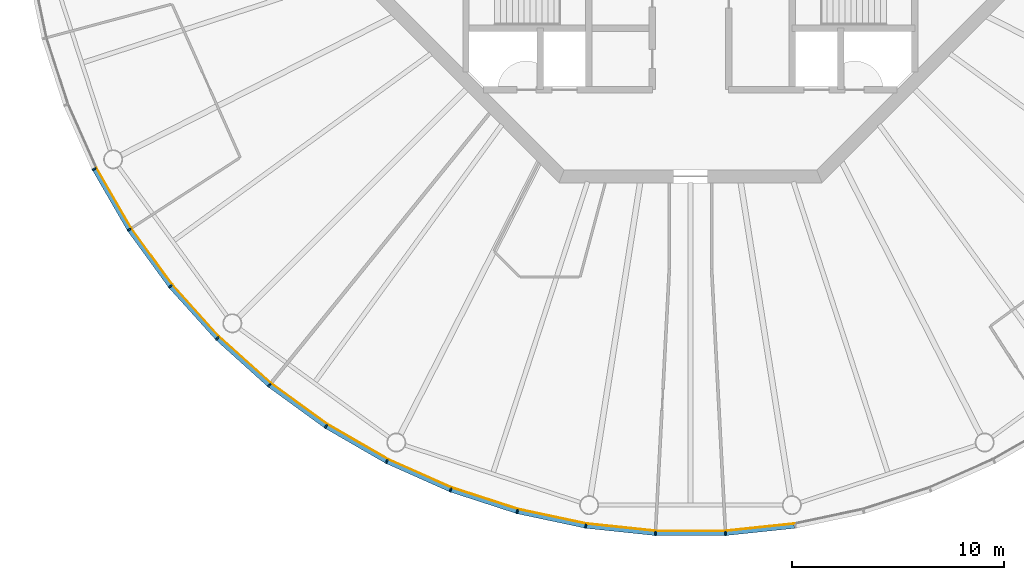
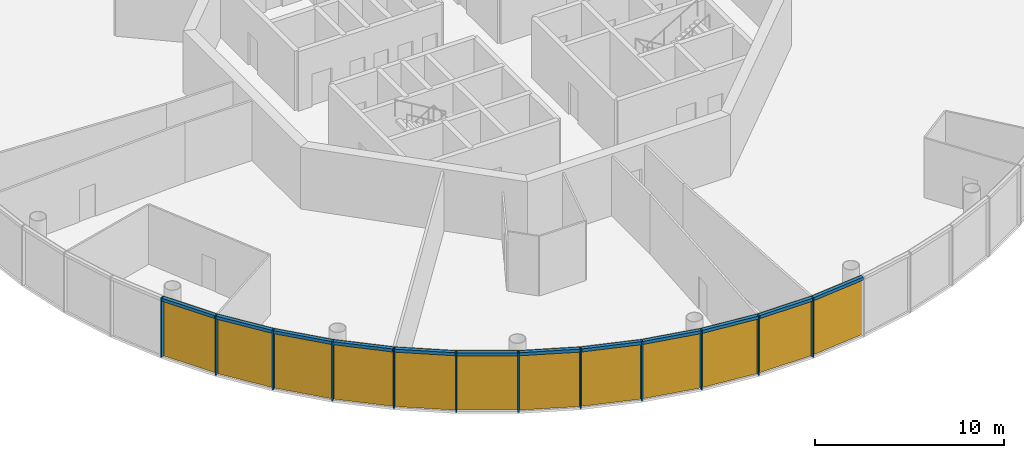
# One storey, part 7 of 13: 24 members, 4 curtain walls.
"""IFC4 building model written with IfcOpenShell, lengths in metres."""

from ifc_helpers import new_model, si_unit, direction, frame, origin, origin_2d, place, context, subcontext, project, spatial, polyline, rectangle, outline, extrude, material, layer, layer_set, material_profile, profile_set, type_object, element, aggregate, save


model = new_model("IFC4")

# Units and contexts
model_context = context("Model", 3, precision=1e-05, world=origin(), true_north=direction((0.0, 1.0)))
body_context = subcontext(model_context, "Body", "Model", "MODEL_VIEW")
ifc_project = project(units=[si_unit("LENGTHUNIT", "METRE"), si_unit("AREAUNIT", "SQUARE_METRE"), si_unit("VOLUMEUNIT", "CUBIC_METRE"), si_unit("PLANEANGLEUNIT", "RADIAN"), si_unit("MASSUNIT", "GRAM", prefix="KILO")], contexts=[model_context])

# Member
ifc_material_1 = material(Name="Anodised aluminium", Category="aluminium")
ifc_material_profile_1 = material_profile(ifc_material_1, rectangle(XDim=0.070068359375, YDim=0.205078125, at=origin_2d()), Name="Mullion 70 x 205 mm anodised aluminium")
ifc_profile_set_1 = profile_set([ifc_material_profile_1], Name="Anodised aluminium")
member_type_1 = type_object("IfcMemberType", Name="Mullion 70 x 205 mm anodised aluminium", PredefinedType="MULLION", material=ifc_profile_set_1)
site_placement = place(None, origin())
building_placement = place(site_placement, origin())
storey_placement = place(building_placement, frame((0.0, 0.0, 380.0)))
member_1_placement = place(storey_placement, frame((61.842041015625, 65.65283203125, 0.0), z_axis=(0.0, 0.0, 1.0), x_axis=(0.45399049974, -0.891006524188, 0.0)))
member_1 = element("IfcMember", 1, at=member_1_placement, type_object=member_type_1, Name="MULLION L88-33", PredefinedType="MULLION", context=body_context, shape_type="SweptSolid", body=[
    extrude(rectangle(XDim=0.070068359375, YDim=0.205078125, at=origin_2d()), origin(), (0.0, 0.0, 1.0), 3.85009765625),
])

member_2_placement = place(storey_placement, frame((63.495849609375, 62.7880859375, 0.0), z_axis=(0.0, 0.0, 1.0), x_axis=(0.544639035015, -0.838670567945, 0.0)))
member_2 = element("IfcMember", 2, at=member_2_placement, type_object=member_type_1, Name="MULLION L88-34", PredefinedType="MULLION", context=body_context, shape_type="SweptSolid", body=[
    extrude(rectangle(XDim=0.070068359375, YDim=0.205078125, at=origin_2d()), origin(), (0.0, 0.0, 1.0), 3.85009765625),
])

member_3_placement = place(storey_placement, frame((65.440185546875, 60.11181640625, 0.0), z_axis=(0.0, 0.0, 1.0), x_axis=(0.62932039105, -0.777145961457, 0.0)))
member_3 = element("IfcMember", 3, at=member_3_placement, type_object=member_type_1, Name="MULLION L88-35", PredefinedType="MULLION", context=body_context, shape_type="SweptSolid", body=[
    extrude(rectangle(XDim=0.070068359375, YDim=0.205078125, at=origin_2d()), origin(), (0.0, 0.0, 1.0), 3.85009765625),
])

member_4_placement = place(storey_placement, frame((67.653564453125, 57.653564453125, 0.0), z_axis=(0.0, 0.0, 1.0), x_axis=(0.707106781187, -0.707106781187, 0.0)))
member_4 = element("IfcMember", 4, at=member_4_placement, type_object=member_type_1, Name="MULLION L88-36", PredefinedType="MULLION", context=body_context, shape_type="SweptSolid", body=[
    extrude(rectangle(XDim=0.070068359375, YDim=0.205078125, at=origin_2d()), origin(), (0.0, 0.0, 1.0), 3.85009765625),
])

member_5_placement = place(storey_placement, frame((70.11181640625, 55.440185546875, 0.0), z_axis=(0.0, 0.0, 1.0), x_axis=(0.777145961457, -0.62932039105, 0.0)))
member_5 = element("IfcMember", 5, at=member_5_placement, type_object=member_type_1, Name="MULLION L88-37", PredefinedType="MULLION", context=body_context, shape_type="SweptSolid", body=[
    extrude(rectangle(XDim=0.070068359375, YDim=0.205078125, at=origin_2d()), origin(), (0.0, 0.0, 1.0), 3.85009765625),
])

member_6_placement = place(storey_placement, frame((72.7880859375, 53.495849609375, 0.0), z_axis=(0.0, 0.0, 1.0), x_axis=(0.838670567945, -0.544639035015, 0.0)))
member_6 = element("IfcMember", 6, at=member_6_placement, type_object=member_type_1, Name="MULLION L88-38", PredefinedType="MULLION", context=body_context, shape_type="SweptSolid", body=[
    extrude(rectangle(XDim=0.070068359375, YDim=0.205078125, at=origin_2d()), origin(), (0.0, 0.0, 1.0), 3.85009765625),
])

member_7_placement = place(storey_placement, frame((75.65283203125, 51.842041015625, 0.0), z_axis=(0.0, 0.0, 1.0), x_axis=(0.891006524188, -0.45399049974, 0.0)))
member_7 = element("IfcMember", 7, at=member_7_placement, type_object=member_type_1, Name="MULLION L88-39", PredefinedType="MULLION", context=body_context, shape_type="SweptSolid", body=[
    extrude(rectangle(XDim=0.070068359375, YDim=0.205078125, at=origin_2d()), origin(), (0.0, 0.0, 1.0), 3.85009765625),
])

member_8_placement = place(storey_placement, frame((78.674560546875, 50.49658203125, 0.0), z_axis=(0.0, 0.0, 1.0), x_axis=(0.933580426497, -0.358367949545, 0.0)))
member_8 = element("IfcMember", 8, at=member_8_placement, type_object=member_type_1, Name="MULLION L88-40", PredefinedType="MULLION", context=body_context, shape_type="SweptSolid", body=[
    extrude(rectangle(XDim=0.070068359375, YDim=0.205078125, at=origin_2d()), origin(), (0.0, 0.0, 1.0), 3.85009765625),
])

member_9_placement = place(storey_placement, frame((81.820556640625, 49.474365234375, 0.0), z_axis=(0.0, 0.0, 1.0), x_axis=(0.965925826289, -0.258819045103, 0.0)))
member_9 = element("IfcMember", 9, at=member_9_placement, type_object=member_type_1, Name="MULLION L88-41", PredefinedType="MULLION", context=body_context, shape_type="SweptSolid", body=[
    extrude(rectangle(XDim=0.070068359375, YDim=0.205078125, at=origin_2d()), origin(), (0.0, 0.0, 1.0), 3.85009765625),
])

member_10_placement = place(storey_placement, frame((85.056396484375, 48.78662109375, 0.0), z_axis=(0.0, 0.0, 1.0), x_axis=(0.987688340595, -0.15643446504, 0.0)))
member_10 = element("IfcMember", 10, at=member_10_placement, type_object=member_type_1, Name="MULLION L88-42", PredefinedType="MULLION", context=body_context, shape_type="SweptSolid", body=[
    extrude(rectangle(XDim=0.070068359375, YDim=0.205078125, at=origin_2d()), origin(), (0.0, 0.0, 1.0), 3.85009765625),
])

member_11_placement = place(storey_placement, frame((88.345947265625, 48.44091796875, 0.0), z_axis=(0.0, 0.0, 1.0), x_axis=(0.998629534755, -0.052335956243, 0.0)))
member_11 = element("IfcMember", 11, at=member_11_placement, type_object=member_type_1, Name="MULLION L88-43", PredefinedType="MULLION", context=body_context, shape_type="SweptSolid", body=[
    extrude(rectangle(XDim=0.070068359375, YDim=0.205078125, at=origin_2d()), origin(), (0.0, 0.0, 1.0), 3.85009765625),
])

member_12_placement = place(storey_placement, frame((91.654052734375, 48.44091796875, 0.0), z_axis=(0.0, 0.0, 1.0), x_axis=(0.998629534755, 0.052335956243, 0.0)))
member_12 = element("IfcMember", 12, at=member_12_placement, type_object=member_type_1, Name="MULLION L88-44", PredefinedType="MULLION", context=body_context, shape_type="SweptSolid", body=[
    extrude(rectangle(XDim=0.070068359375, YDim=0.205078125, at=origin_2d()), origin(), (0.0, 0.0, 1.0), 3.85009765625),
])

ifc_material_2 = material(Name="Anodised aluminium", Category="aluminium")
ifc_material_profile_2 = material_profile(ifc_material_2, rectangle(XDim=0.205078125, YDim=0.195068359375, at=origin_2d()), Name="Transom 195 x 205 mm anodised aluminium")
ifc_profile_set_2 = profile_set([ifc_material_profile_2], Name="Anodised aluminium")
member_type_2 = type_object("IfcMemberType", Name="Transom 195 x 205 mm anodised aluminium", PredefinedType="USERDEFINED", material=ifc_profile_set_2)
member_13_placement = place(storey_placement, frame((61.862060546875, 65.61767578125, 3.75244140625), z_axis=(0.500004055213, -0.866023062494, 0.0), x_axis=(0.866023062494, 0.500004055213, 0.0)))
member_13 = element("IfcMember", 13, at=member_13_placement, type_object=member_type_2, Name="TRANSOM L88-33", ObjectType="TRANSOM", PredefinedType="USERDEFINED", context=body_context, shape_type="SweptSolid", body=[
    extrude(rectangle(XDim=0.205078125, YDim=0.195068359375, at=origin_2d()), origin(), (0.0, 0.0, 1.0), 3.22705078125),
])

member_14_placement = place(storey_placement, frame((63.51953125, 62.75537109375, 3.75244140625), z_axis=(0.587802790201, -0.809004252048, 0.0), x_axis=(0.809004252048, 0.587802790201, 0.0)))
member_14 = element("IfcMember", 14, at=member_14_placement, type_object=member_type_2, Name="TRANSOM L88-34", ObjectType="TRANSOM", PredefinedType="USERDEFINED", context=body_context, shape_type="SweptSolid", body=[
    extrude(rectangle(XDim=0.205078125, YDim=0.195068359375, at=origin_2d()), origin(), (0.0, 0.0, 1.0), 3.227294921875),
])

member_15_placement = place(storey_placement, frame((65.467041015625, 60.081787109375, 3.75244140625), z_axis=(0.669144438484, -0.743132370743, 0.0), x_axis=(0.743132370743, 0.669144438484, 0.0)))
member_15 = element("IfcMember", 15, at=member_15_placement, type_object=member_type_2, Name="TRANSOM L88-35", ObjectType="TRANSOM", PredefinedType="USERDEFINED", context=body_context, shape_type="SweptSolid", body=[
    extrude(rectangle(XDim=0.205078125, YDim=0.195068359375, at=origin_2d()), origin(), (0.0, 0.0, 1.0), 3.22705078125),
])

member_16_placement = place(storey_placement, frame((67.68359375, 57.62646484375, 3.75244140625), z_axis=(0.743132370743, -0.669144438484, 0.0), x_axis=(0.669144438484, 0.743132370743, 0.0)))
member_16 = element("IfcMember", 16, at=member_16_placement, type_object=member_type_2, Name="TRANSOM L88-36", ObjectType="TRANSOM", PredefinedType="USERDEFINED", context=body_context, shape_type="SweptSolid", body=[
    extrude(rectangle(XDim=0.205078125, YDim=0.195068359375, at=origin_2d()), origin(), (0.0, 0.0, 1.0), 3.22705078125),
])

member_17_placement = place(storey_placement, frame((70.14453125, 55.41650390625, 3.75244140625), z_axis=(0.809004252048, -0.587802790201, 0.0), x_axis=(0.587802790201, 0.809004252048, 0.0)))
member_17 = element("IfcMember", 17, at=member_17_placement, type_object=member_type_2, Name="TRANSOM L88-37", ObjectType="TRANSOM", PredefinedType="USERDEFINED", context=body_context, shape_type="SweptSolid", body=[
    extrude(rectangle(XDim=0.205078125, YDim=0.195068359375, at=origin_2d()), origin(), (0.0, 0.0, 1.0), 3.227294921875),
])

member_18_placement = place(storey_placement, frame((72.822998046875, 53.4755859375, 3.75244140625), z_axis=(0.866023062494, -0.500004055213, 0.0), x_axis=(0.500004055213, 0.866023062494, 0.0)))
member_18 = element("IfcMember", 18, at=member_18_placement, type_object=member_type_2, Name="TRANSOM L88-38", ObjectType="TRANSOM", PredefinedType="USERDEFINED", context=body_context, shape_type="SweptSolid", body=[
    extrude(rectangle(XDim=0.205078125, YDim=0.195068359375, at=origin_2d()), origin(), (0.0, 0.0, 1.0), 3.22705078125),
])

member_19_placement = place(storey_placement, frame((75.689697265625, 51.825439453125, 3.75244140625), z_axis=(0.913521178731, -0.406791170024, 0.0), x_axis=(0.406791170024, 0.913521178731, 0.0)))
member_19 = element("IfcMember", 19, at=member_19_placement, type_object=member_type_2, Name="TRANSOM L88-39", ObjectType="TRANSOM", PredefinedType="USERDEFINED", context=body_context, shape_type="SweptSolid", body=[
    extrude(rectangle(XDim=0.205078125, YDim=0.195068359375, at=origin_2d()), origin(), (0.0, 0.0, 1.0), 3.22705078125),
])

member_20_placement = place(storey_placement, frame((78.713134765625, 50.48388671875, 3.75244140625), z_axis=(0.951046855117, -0.309046726844, 0.0), x_axis=(0.309046726844, 0.951046855117, 0.0)))
member_20 = element("IfcMember", 20, at=member_20_placement, type_object=member_type_2, Name="TRANSOM L88-40", ObjectType="TRANSOM", PredefinedType="USERDEFINED", context=body_context, shape_type="SweptSolid", body=[
    extrude(rectangle(XDim=0.205078125, YDim=0.195068359375, at=origin_2d()), origin(), (0.0, 0.0, 1.0), 3.22705078125),
])

member_21_placement = place(storey_placement, frame((81.860107421875, 49.4658203125, 3.75244140625), z_axis=(0.978153082647, -0.207885898771, 0.0), x_axis=(0.207885898771, 0.978153082647, 0.0)))
member_21 = element("IfcMember", 21, at=member_21_placement, type_object=member_type_2, Name="TRANSOM L88-41", ObjectType="TRANSOM", PredefinedType="USERDEFINED", context=body_context, shape_type="SweptSolid", body=[
    extrude(rectangle(XDim=0.205078125, YDim=0.195068359375, at=origin_2d()), origin(), (0.0, 0.0, 1.0), 3.227294921875),
])

member_22_placement = place(storey_placement, frame((85.096435546875, 48.7822265625, 3.75244140625), z_axis=(0.994519537956, -0.104550890115, 0.0), x_axis=(0.104550890115, 0.994519537956, 0.0)))
member_22 = element("IfcMember", 22, at=member_22_placement, type_object=member_type_2, Name="TRANSOM L88-42", ObjectType="TRANSOM", PredefinedType="USERDEFINED", context=body_context, shape_type="SweptSolid", body=[
    extrude(rectangle(XDim=0.205078125, YDim=0.195068359375, at=origin_2d()), origin(), (0.0, 0.0, 1.0), 3.22705078125),
])

member_23_placement = place(storey_placement, frame((88.386474609375, 48.440673828125, 3.75244140625), z_axis=(1.0, 0.0, 0.0), x_axis=(0.0, 1.0, 0.0)))
member_23 = element("IfcMember", 23, at=member_23_placement, type_object=member_type_2, Name="TRANSOM L88-43", ObjectType="TRANSOM", PredefinedType="USERDEFINED", context=body_context, shape_type="SweptSolid", body=[
    extrude(rectangle(XDim=0.205078125, YDim=0.195068359375, at=origin_2d()), origin(), (0.0, 0.0, 1.0), 3.22705078125),
])

member_24_placement = place(storey_placement, frame((91.694091796875, 48.44482421875, 3.75244140625), z_axis=(0.994519537956, 0.104550890115, 0.0), x_axis=(-0.104550890115, 0.994519537956, 0.0)))
member_24 = element("IfcMember", 24, at=member_24_placement, type_object=member_type_2, Name="TRANSOM L88-44", ObjectType="TRANSOM", PredefinedType="USERDEFINED", context=body_context, shape_type="SweptSolid", body=[
    extrude(rectangle(XDim=0.205078125, YDim=0.195068359375, at=origin_2d()), origin(), (0.0, 0.0, 1.0), 3.22705078125),
])

# Site, building, storey
site = spatial("IfcSite", under=ifc_project, at=site_placement, CompositionType="ELEMENT")
building = spatial("IfcBuilding", under=site, at=building_placement, Name="Entoto Ring Tower", CompositionType="ELEMENT")
storey = spatial("IfcBuildingStorey", under=building, at=storey_placement, Name="L88", CompositionType="ELEMENT", Elevation=380.0)

# Curtain wall
ifc_material_3 = material(Name="Clear low-iron glass", Category="glass")
ifc_layer = layer(ifc_material_3, 0.035888671875)
ifc_layer_set = layer_set([ifc_layer], Name="Clear low-iron glass")
curtain_wall_type = type_object("IfcCurtainWallType", Name="Curtain wall system CW6 glazing 36 mm", PredefinedType="NOTDEFINED", material=ifc_layer_set)
curtain_wall_1_placement = place(storey_placement, origin())
curtain_wall_1 = element("IfcCurtainWall", 25, at=curtain_wall_1_placement, inside=storey, type_object=curtain_wall_type, Name="CW6 L88-12", PredefinedType="NOTDEFINED", context=body_context, shape_type="SweptSolid", body=[
    extrude(outline(polyline([(61.933349609375, 65.69921875), (63.581787109375, 62.84375), (65.52001953125, 60.176513671875), (67.72607421875, 57.72607421875), (67.751708984375, 57.751708984375), (65.5478515625, 60.198974609375), (63.612060546875, 62.863525390625), (61.96533203125, 65.715576171875), (61.933349609375, 65.69921875)])), origin(), (0.0, 0.0, 1.0), 3.85009765625),
])

aggregate(curtain_wall_1, [member_1, member_2, member_3, member_13, member_14, member_15])

curtain_wall_2_placement = place(storey_placement, origin())
curtain_wall_2 = element("IfcCurtainWall", 26, at=curtain_wall_2_placement, inside=storey, type_object=curtain_wall_type, Name="CW6 L88-13", PredefinedType="NOTDEFINED", context=body_context, shape_type="SweptSolid", body=[
    extrude(outline(polyline([(67.72607421875, 57.72607421875), (70.176513671875, 55.52001953125), (72.84375, 53.581787109375), (75.69921875, 51.933349609375), (75.715576171875, 51.96533203125), (72.863525390625, 53.612060546875), (70.198974609375, 55.5478515625), (67.751708984375, 57.751708984375), (67.72607421875, 57.72607421875)])), origin(), (0.0, 0.0, 1.0), 3.85009765625),
])

aggregate(curtain_wall_2, [member_4, member_5, member_6, member_16, member_17, member_18])

curtain_wall_3_placement = place(storey_placement, origin())
curtain_wall_3 = element("IfcCurtainWall", 27, at=curtain_wall_3_placement, inside=storey, type_object=curtain_wall_type, Name="CW6 L88-14", PredefinedType="NOTDEFINED", context=body_context, shape_type="SweptSolid", body=[
    extrude(outline(polyline([(75.69921875, 51.933349609375), (78.71142578125, 50.59228515625), (81.84716796875, 49.5732421875), (85.072265625, 48.8876953125), (85.077880859375, 48.92333984375), (81.8564453125, 49.608154296875), (78.724365234375, 50.6259765625), (75.715576171875, 51.96533203125), (75.69921875, 51.933349609375)])), origin(), (0.0, 0.0, 1.0), 3.85009765625),
])

aggregate(curtain_wall_3, [member_7, member_8, member_9, member_19, member_20, member_21])

curtain_wall_4_placement = place(storey_placement, origin())
curtain_wall_4 = element("IfcCurtainWall", 28, at=curtain_wall_4_placement, inside=storey, type_object=curtain_wall_type, Name="CW6 L88-15", PredefinedType="NOTDEFINED", context=body_context, shape_type="SweptSolid", body=[
    extrude(outline(polyline([(85.072265625, 48.8876953125), (88.351318359375, 48.543212890625), (91.648681640625, 48.543212890625), (94.927734375, 48.8876953125), (94.922119140625, 48.92333984375), (91.646728515625, 48.5791015625), (88.353271484375, 48.5791015625), (85.077880859375, 48.92333984375), (85.072265625, 48.8876953125)])), origin(), (0.0, 0.0, 1.0), 3.85009765625),
])

aggregate(curtain_wall_4, [member_10, member_11, member_12, member_22, member_23, member_24])

save(model, "model.ifc")
